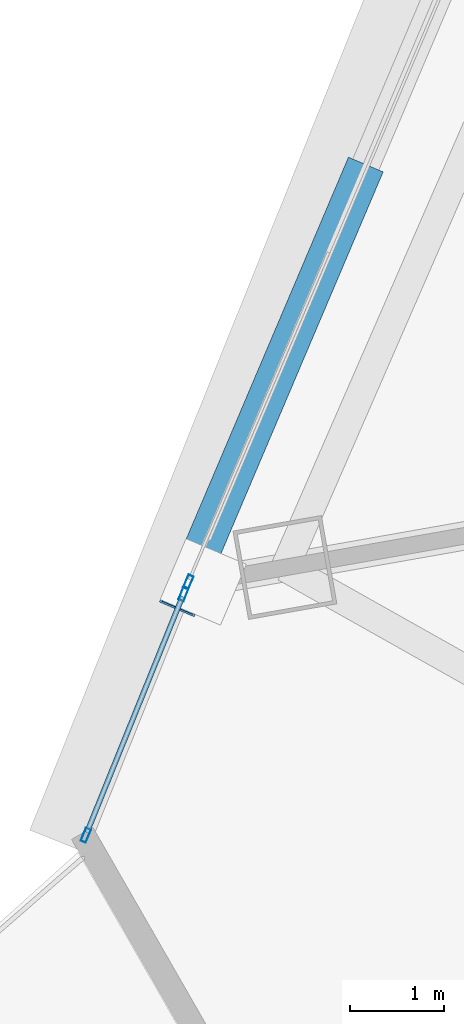
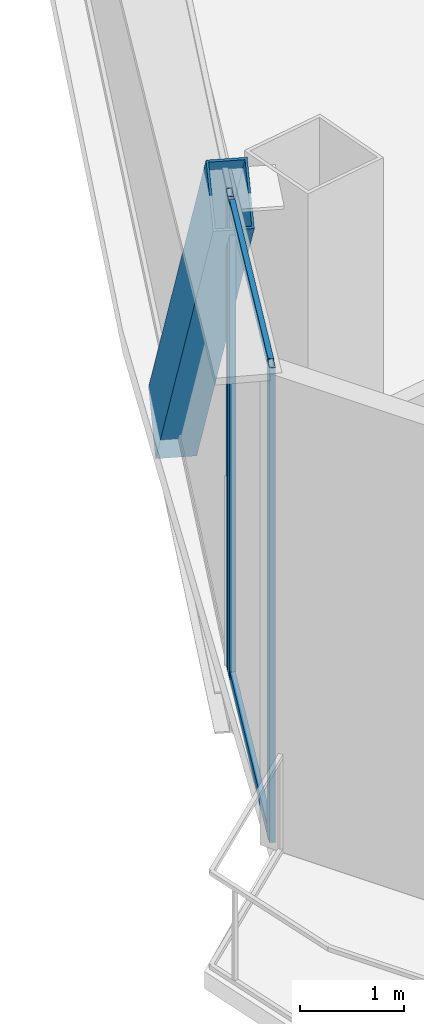
# One storey, part 4 of 40: 6 members, 2 elements without a shape of their own.
"""IFC4 building model written with IfcOpenShell, lengths in metres."""

import ifcopenshell
import ifcopenshell.guid

model = None  # the IFC model being written
_history = None  # IfcOwnerHistory: only IFC2X3 demands one
_inside = {}  # id of a spatial element -> (the spatial element, [elements in it])
_under = {}  # id of a project, library or spatial element -> (it, [spatial elements below it])
_declared = {}  # id of a project -> (the project, [libraries it declares])
_typed = {}  # id of a type object -> (the type object, [elements of that type])
_made_of = {}  # id of a material, layer set ... -> (it, [elements and type objects made of it])


def new_model(schema):
    """Start an empty IFC model of exactly this schema.

    Asked for "IFC4X3", IfcOpenShell would pick the latest addendum, in which some entities
    have other attributes; the version numbers below select the first issue.
    IFC2X3 requires an IfcOwnerHistory on every rooted entity: one is made here for all.
    """
    global model, _history
    if schema == "IFC4X3":
        model = ifcopenshell.file(schema_version=(4, 3, 0, 0))
    else:
        model = ifcopenshell.file(schema=schema)
    _inside.clear()
    _under.clear()
    _declared.clear()
    _typed.clear()
    _made_of.clear()
    _history = None
    if model.schema == "IFC2X3":
        org = make("IfcOrganization", Name="unknown")
        user = make(
            "IfcPersonAndOrganization",
            ThePerson=make("IfcPerson", FamilyName="unknown"),
            TheOrganization=org,
        )
        app = make(
            "IfcApplication",
            ApplicationDeveloper=org,
            Version="unknown",
            ApplicationFullName="unknown",
            ApplicationIdentifier="unknown",
        )
        _history = make(
            "IfcOwnerHistory",
            OwningUser=user,
            OwningApplication=app,
            ChangeAction="ADDED",
            CreationDate=0,
        )
    return model


def make(cls, **values):
    """One entity of the class cls with the attributes given. An attribute that is None is left unset."""
    return model.create_entity(
        cls, **{name: value for name, value in values.items() if value is not None}
    )


def rooted(cls, **values):
    """An entity with a GlobalId (a new one), such as an element, a storey or a relation."""
    return make(cls, GlobalId=ifcopenshell.guid.new(), OwnerHistory=_history, **values)


def si_unit(unit_type, name, prefix=None):
    """IfcSIUnit, for example si_unit("LENGTHUNIT", "METRE", prefix="MILLI")."""
    return make("IfcSIUnit", UnitType=unit_type, Prefix=prefix, Name=name)


def assignment(units):
    """IfcUnitAssignment: the units of a project."""
    return None if units is None else make("IfcUnitAssignment", Units=units)


def point(xyz):
    """IfcCartesianPoint."""
    return None if xyz is None else make("IfcCartesianPoint", Coordinates=xyz)


def direction(xyz):
    """IfcDirection."""
    return None if xyz is None else make("IfcDirection", DirectionRatios=xyz)


def frame(location, z_axis=None, x_axis=None):
    """IfcAxis2Placement3D, a coordinate frame: its origin and axes. An axis left out is left unset."""
    return make(
        "IfcAxis2Placement3D",
        Location=point(location),
        Axis=direction(z_axis),
        RefDirection=direction(x_axis),
    )


def frame_2d(location, x_axis=None):
    """IfcAxis2Placement2D, a coordinate frame in the plane: its origin and x axis."""
    return make(
        "IfcAxis2Placement2D", Location=point(location), RefDirection=direction(x_axis)
    )


def origin():
    """The frame at (0, 0, 0) with its axes left unset."""
    return frame((0.0, 0.0, 0.0))


def origin_2d():
    """The frame at (0, 0) in the plane with its x axis left unset."""
    return frame_2d((0.0, 0.0))


def place(relative_to, where):
    """IfcLocalPlacement: puts the frame where relative to a parent placement (None: the world)."""
    return make(
        "IfcLocalPlacement", PlacementRelTo=relative_to, RelativePlacement=where
    )


def context(
    kind, dimensions, precision=None, world=None, true_north=None, identifier=None
):
    """IfcGeometricRepresentationContext, for example the 3D "Model" context."""
    return make(
        "IfcGeometricRepresentationContext",
        ContextIdentifier=identifier,
        ContextType=kind,
        CoordinateSpaceDimension=dimensions,
        Precision=precision,
        WorldCoordinateSystem=world,
        TrueNorth=true_north,
    )


def subcontext(parent, identifier, kind, view, scale=None):
    """IfcGeometricRepresentationSubContext, for example "Body" below "Model"."""
    return make(
        "IfcGeometricRepresentationSubContext",
        ContextIdentifier=identifier,
        ContextType=kind,
        ParentContext=parent,
        TargetScale=scale,
        TargetView=view,
    )


def project(units=None, contexts=None):
    """IfcProject with its units and contexts."""
    return rooted(
        "IfcProject",
        Name="project",
        RepresentationContexts=contexts,
        UnitsInContext=assignment(units),
    )


def spatial(cls, under=None, at=None, **own):
    """A site, building, storey or space (cls), placed at a placement, below another one or the project."""
    s = rooted(cls, ObjectPlacement=at, **own)
    if under is not None:
        _under.setdefault(under.id(), (under, []))[1].append(s)
    return s


def profile(cls, at=None, kind="AREA", **sizes):
    """A parametric profile (cls). Its sizes go by their IFC names, for example OverallWidth=200.0."""
    return make(cls, ProfileType=kind, Position=at, **sizes)


def hollow_rectangle(**sizes):
    """IfcRectangleHollowProfileDef."""
    return profile("IfcRectangleHollowProfileDef", **sizes)


def extrude(swept, where, along, depth):
    """IfcExtrudedAreaSolid: the profile swept, set in the frame where, extruded along a direction by depth."""
    return make(
        "IfcExtrudedAreaSolid",
        SweptArea=swept,
        Position=where,
        ExtrudedDirection=direction(along),
        Depth=depth,
    )


def shape(context_of_items, identifier, shape_type, items):
    """IfcShapeRepresentation: the items that make up one representation, for example the "Body"."""
    return make(
        "IfcShapeRepresentation",
        ContextOfItems=context_of_items,
        RepresentationIdentifier=identifier,
        RepresentationType=shape_type,
        Items=items,
    )


def source(mapping_origin, context_of_items, identifier, shape_type, items):
    """IfcRepresentationMap: a shape defined once, which mapped items show again and again."""
    return make(
        "IfcRepresentationMap",
        MappingOrigin=mapping_origin,
        MappedRepresentation=shape(context_of_items, identifier, shape_type, items),
    )


def transform(
    local_origin,
    x_axis=None,
    y_axis=None,
    z_axis=None,
    scale=None,
    scale2=None,
    scale3=None,
    uniform=True,
):
    """IfcCartesianTransformationOperator3D, or its non-uniform kind. x_axis, y_axis, z_axis: its Axis1, 2, 3."""
    if uniform:
        return make(
            "IfcCartesianTransformationOperator3D",
            Axis1=direction(x_axis),
            Axis2=direction(y_axis),
            LocalOrigin=point(local_origin),
            Scale=scale,
            Axis3=direction(z_axis),
        )
    return make(
        "IfcCartesianTransformationOperator3DnonUniform",
        Axis1=direction(x_axis),
        Axis2=direction(y_axis),
        LocalOrigin=point(local_origin),
        Scale=scale,
        Axis3=direction(z_axis),
        Scale2=scale2,
        Scale3=scale3,
    )


def mapped(mapping_source, mapping_target):
    """IfcMappedItem: shows the shape of a source again, moved by a transform."""
    return make(
        "IfcMappedItem", MappingSource=mapping_source, MappingTarget=mapping_target
    )


def material(Name=None, Category=None):
    """IfcMaterial."""
    return make("IfcMaterial", Name=Name, Category=Category)


def layer(
    of_material, thickness, ventilated=None, Name=None, Category=None, Priority=None
):
    """IfcMaterialLayer: one layer of a wall or slab, of a material (None: an air gap)."""
    return make(
        "IfcMaterialLayer",
        Material=of_material,
        LayerThickness=thickness,
        IsVentilated=ventilated,
        Name=Name,
        Category=Category,
        Priority=Priority,
    )


def layer_set(layers, Name=None):
    """IfcMaterialLayerSet."""
    return make("IfcMaterialLayerSet", MaterialLayers=layers, LayerSetName=Name)


def material_profile(
    of_material, cross_section, Name=None, Category=None, Priority=None
):
    """IfcMaterialProfile: a cross section and its material."""
    return make(
        "IfcMaterialProfile",
        Name=Name,
        Material=of_material,
        Profile=cross_section,
        Priority=Priority,
        Category=Category,
    )


def profile_set(profiles, Name=None, composite=None):
    """IfcMaterialProfileSet."""
    return make(
        "IfcMaterialProfileSet",
        Name=Name,
        MaterialProfiles=profiles,
        CompositeProfile=composite,
    )


def made_of(thing, what):
    """Note that an element or type object is made of a material, layer set ...; save() writes the relation."""
    if what is not None:
        _made_of.setdefault(what.id(), (what, []))[1].append(thing)
    return thing


def type_object(cls, material=None, **own):
    """A type object (cls), such as IfcWallType, which elements share."""
    return made_of(rooted(cls, **own), material)


def element(
    cls,
    number,
    at=None,
    inside=None,
    cuts=None,
    type_object=None,
    material=None,
    context=None,
    identifier="Body",
    shape_type=None,
    held_by="IfcProductDefinitionShape",
    body=None,
    shapes=None,
    **own,
):
    """One element of the class cls, such as IfcWall. Its Tag is "e" and its number.

    at: its placement. inside: the storey or other place that contains it. cuts: it is an
    opening in that element (IfcRelVoidsElement). A single representation is given by context,
    identifier, shape_type and body (its items); several are given by shapes. held_by: the class
    of the entity that holds the representations. save() writes the other relations.
    """
    e = rooted(cls, Tag="e%d" % number, ObjectPlacement=at, **own)
    if body is not None:
        shapes = [shape(context, identifier, shape_type, body)]
    if shapes is not None:
        e.Representation = make(held_by, Representations=shapes)
    if inside is not None:
        _inside.setdefault(inside.id(), (inside, []))[1].append(e)
    if cuts is not None:
        rooted(
            "IfcRelVoidsElement", RelatingBuildingElement=cuts, RelatedOpeningElement=e
        )
    if type_object is not None:
        _typed.setdefault(type_object.id(), (type_object, []))[1].append(e)
    return made_of(e, material)


def aggregate(whole, parts):
    """IfcRelAggregates: a whole, such as a stair, and the parts it consists of."""
    return rooted("IfcRelAggregates", RelatingObject=whole, RelatedObjects=parts)


def save(model, path):
    """Write the relations noted so far, then the file.

    IfcRelAggregates (storeys below a building ...), IfcRelContainedInSpatialStructure (elements
    in a storey), IfcRelDefinesByType, IfcRelAssociatesMaterial and IfcRelDeclares: one each for
    every whole, place, type object, material and project.
    """
    for whole, parts in _under.values():
        aggregate(whole, parts)
    for where, things in _inside.values():
        rooted(
            "IfcRelContainedInSpatialStructure",
            RelatedElements=things,
            RelatingStructure=where,
        )
    for kind, things in _typed.values():
        rooted("IfcRelDefinesByType", RelatedObjects=things, RelatingType=kind)
    for what, things in _made_of.values():
        rooted("IfcRelAssociatesMaterial", RelatedObjects=things, RelatingMaterial=what)
    for by, libraries in _declared.values():
        rooted("IfcRelDeclares", RelatingContext=by, RelatedDefinitions=libraries)
    model.write(path)


model = new_model("IFC4")

# Units and contexts
model_context = context("Model", 3, precision=1e-05, world=origin(), true_north=direction((0.0, 1.0)))
body_context = subcontext(model_context, "Body", "Model", "MODEL_VIEW")
ifc_project = project(units=[si_unit("LENGTHUNIT", "METRE"), si_unit("AREAUNIT", "SQUARE_METRE"), si_unit("VOLUMEUNIT", "CUBIC_METRE"), si_unit("PLANEANGLEUNIT", "RADIAN"), si_unit("MASSUNIT", "GRAM", prefix="KILO"), si_unit("THERMODYNAMICTEMPERATUREUNIT", "KELVIN"), si_unit("POWERUNIT", "WATT")], contexts=[model_context])

# Site, building, storey
site_placement = place(None, origin())
site = spatial("IfcSite", under=ifc_project, at=site_placement, CompositionType="ELEMENT")
building_placement = place(site_placement, origin())
building = spatial("IfcBuilding", under=site, at=building_placement, Name="Yunzhuo Pagoda Commons", CompositionType="ELEMENT")
storey_placement = place(building_placement, frame((0.0, 0.0, 170.31005859375)))
storey = spatial("IfcBuildingStorey", under=building, at=storey_placement, Name="L43", CompositionType="ELEMENT", Elevation=170.31005859375)

# Member
ifc_material_1 = material(Name="Structural steel Q355B", Category="steel")
ifc_material_profile_1 = material_profile(ifc_material_1, hollow_rectangle(XDim=0.39990234375, YDim=0.719970703125, WallThickness=0.02392578125, at=origin_2d()), Name="Structural steel Q355B")
ifc_profile_set_1 = profile_set([ifc_material_profile_1], Name="Structural steel Q355B")
member_type_1 = type_object("IfcMemberType", Name="M-DL2 Brace BOX 720x400x24", PredefinedType="BRACE", material=ifc_profile_set_1)
shared_shape_1 = source(origin(), body_context, "Body", "SweptSolid", [
    extrude(hollow_rectangle(XDim=0.39990234375, YDim=0.719970703125, WallThickness=0.02392578125, at=origin_2d()), origin(), (0.0, 0.0, 1.0), 7.39501953125),
])
member_1_placement = place(storey_placement, frame((11.748046875, 31.181640625, -0.260009765625), z_axis=(-0.240603712606, -0.566250669404, 0.788333706548), x_axis=(0.920361821441, -0.391067919465, 0.0)))
element("IfcMember", 1, at=member_1_placement, inside=storey, type_object=member_type_1, Name="L43 facade diamond brace F3.3R", PredefinedType="BRACE", context=body_context, shape_type="MappedRepresentation", body=[
    mapped(shared_shape_1, transform((0.0, 0.0, 0.0), scale=1.0)),
])

# Curtain wall, members
ifc_material_2 = material(Name="Anodized aluminium 6063-T6", Category="aluminium")
ifc_layer = layer(ifc_material_2, 0.14990234375)
ifc_layer_set = layer_set([ifc_layer], Name="Anodized aluminium 6063-T6")
curtain_wall_type = type_object("IfcCurtainWallType", Name="CW-MID Mid-Zone Ribbon Curtain Wall", PredefinedType="NOTDEFINED", material=ifc_layer_set)
curtain_wall_1_placement = place(storey_placement, origin())
curtain_wall_1 = element("IfcCurtainWall", 2, at=curtain_wall_1_placement, inside=storey, type_object=curtain_wall_type, Name="L43 curtain wall CW-L43-F3B5", PredefinedType="NOTDEFINED")
ifc_material_profile_2 = material_profile(ifc_material_2, hollow_rectangle(XDim=0.054931640625, YDim=0.1298828125, WallThickness=0.00341796875, at=origin_2d()), Name="Anodized aluminium 6063-T6")
ifc_profile_set_2 = profile_set([ifc_material_profile_2], Name="Anodized aluminium 6063-T6")
member_type_2 = type_object("IfcMemberType", Name="CW-MID-T Transom RHS 130x55x3.5", PredefinedType="USERDEFINED", material=ifc_profile_set_2)
shared_shape_2 = source(origin(), body_context, "Body", "SweptSolid", [
    extrude(hollow_rectangle(XDim=0.054931640625, YDim=0.1298828125, WallThickness=0.00341796875, at=origin_2d()), origin(), (0.0, 0.0, 1.0), 2.6962890625),
])
member_2_placement = place(storey_placement, frame((9.91796875, 26.869140625, 0.02734375), z_axis=(-0.375305747768, -0.926901071146, 0.0), x_axis=(0.926901071146, -0.375305747768, 0.0)))
member_2 = element("IfcMember", 3, at=member_2_placement, type_object=member_type_2, Name="CW transom 1.1", ObjectType="TRANSOM", PredefinedType="USERDEFINED", context=body_context, shape_type="MappedRepresentation", body=[
    mapped(shared_shape_2, transform((0.0, 0.0, 0.0), scale=1.0)),
])
member_3_placement = place(storey_placement, frame((9.91796875, 26.869140625, 5.54248046875), z_axis=(-0.375305747768, -0.926901071146, 0.0), x_axis=(0.926901071146, -0.375305747768, 0.0)))
member_3 = element("IfcMember", 4, at=member_3_placement, type_object=member_type_2, Name="CW transom 1.2", ObjectType="TRANSOM", PredefinedType="USERDEFINED", context=body_context, shape_type="MappedRepresentation", body=[
    mapped(shared_shape_2, transform((0.0, 0.0, 0.0), scale=1.0)),
])

# Curtain wall, member
curtain_wall_2_placement = place(storey_placement, origin())
curtain_wall_2 = element("IfcCurtainWall", 5, at=curtain_wall_2_placement, inside=storey, type_object=curtain_wall_type, Name="L43 curtain wall CW-L43-F3B4", PredefinedType="NOTDEFINED")
ifc_material_profile_3 = material_profile(ifc_material_2, hollow_rectangle(XDim=0.06005859375, YDim=0.14990234375, WallThickness=0.00390625, at=origin_2d()), Name="Anodized aluminium 6063-T6")
ifc_profile_set_3 = profile_set([ifc_material_profile_3], Name="Anodized aluminium 6063-T6")
member_type_3 = type_object("IfcMemberType", Name="CW-MID-M Mullion RHS 150x60x4", PredefinedType="MULLION", material=ifc_profile_set_3)
shared_shape_3 = source(origin(), body_context, "Body", "SweptSolid", [
    extrude(hollow_rectangle(XDim=0.06005859375, YDim=0.14990234375, WallThickness=0.00390625, at=origin_2d()), origin(), (0.0, 0.0, 1.0), 5.56982421875),
])
member_4_placement = place(storey_placement, frame((9.98046875, 27.02197265625, 0.0), z_axis=(0.0, 0.0, 1.0), x_axis=(0.920363798122, -0.391063267395, 0.0)))
member_4 = element("IfcMember", 6, at=member_4_placement, type_object=member_type_3, Name="CW mullion 2", PredefinedType="MULLION", context=body_context, shape_type="MappedRepresentation", body=[
    mapped(shared_shape_3, transform((0.0, 0.0, 0.0), scale=1.0)),
])
aggregate(curtain_wall_2, [member_4])

# Member
member_5_placement = place(storey_placement, frame((9.929443359375, 26.89697265625, 0.0), z_axis=(0.0, 0.0, 1.0), x_axis=(0.926896232527, -0.375317697594, 0.0)))
member_5 = element("IfcMember", 7, at=member_5_placement, type_object=member_type_3, Name="CW mullion 1", PredefinedType="MULLION", context=body_context, shape_type="MappedRepresentation", body=[
    mapped(shared_shape_3, transform((0.0, 0.0, 0.0), scale=1.0)),
])

member_6_placement = place(storey_placement, frame((8.894775390625, 24.342041015625, 0.0), z_axis=(0.0, 0.0, 1.0), x_axis=(0.926896232527, -0.375317697594, 0.0)))
member_6 = element("IfcMember", 8, at=member_6_placement, type_object=member_type_3, Name="CW mullion 2", PredefinedType="MULLION", context=body_context, shape_type="MappedRepresentation", body=[
    mapped(shared_shape_3, transform((0.0, 0.0, 0.0), scale=1.0)),
])

aggregate(curtain_wall_1, [member_5, member_6, member_2, member_3])

save(model, "model.ifc")
